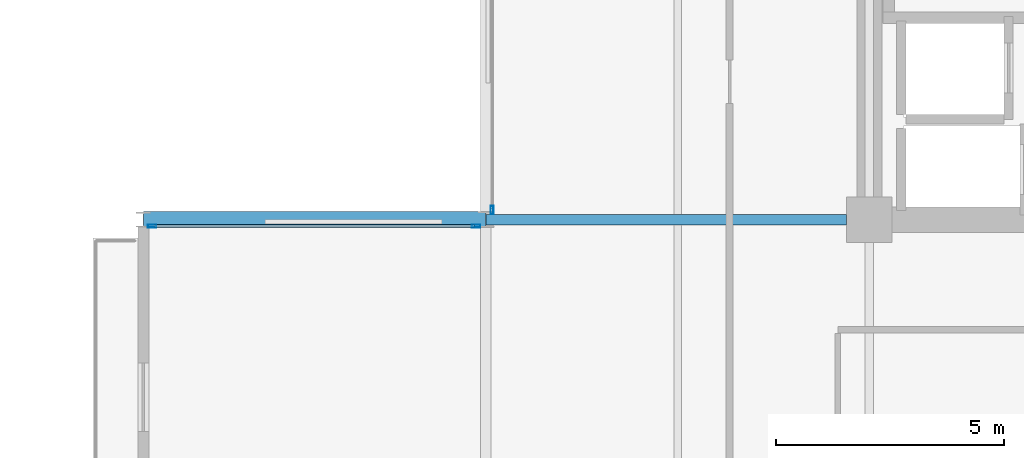
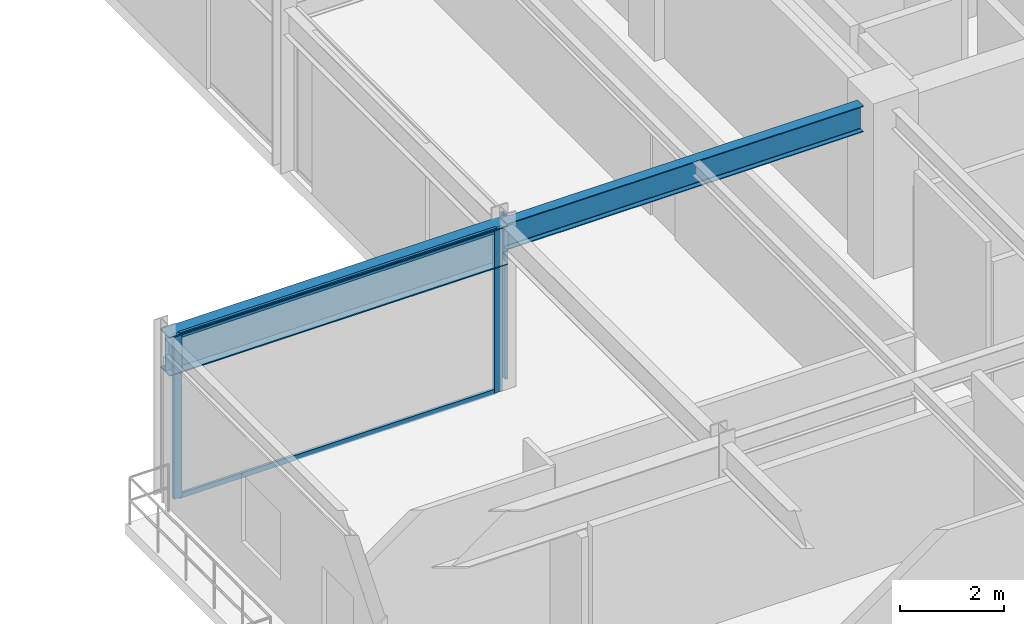
# One storey, part 9 of 29: 5 members, 2 beams, 2 elements without a shape of their own.
"""IFC4 building model written with IfcOpenShell, lengths in metres."""

from ifc_helpers import new_model, si_unit, direction, frame, origin, origin_2d, place, context, subcontext, project, spatial, hollow_rectangle, i_section, extrude, material, layer, layer_set, material_profile, profile_set, type_object, element, aggregate, save


model = new_model("IFC4")

# Units and contexts
model_context = context("Model", 3, precision=1e-05, world=origin(), true_north=direction((0.0, 1.0)))
body_context = subcontext(model_context, "Body", "Model", "MODEL_VIEW")
ifc_project = project(units=[si_unit("LENGTHUNIT", "METRE"), si_unit("AREAUNIT", "SQUARE_METRE"), si_unit("VOLUMEUNIT", "CUBIC_METRE"), si_unit("PLANEANGLEUNIT", "RADIAN"), si_unit("MASSUNIT", "GRAM", prefix="KILO")], contexts=[model_context])

# Site, building, storey
site_placement = place(None, origin())
site = spatial("IfcSite", under=ifc_project, at=site_placement, CompositionType="ELEMENT")
building_placement = place(site_placement, origin())
building = spatial("IfcBuilding", under=site, at=building_placement, Name="Nerrivon Quay Data Exchange", CompositionType="ELEMENT")
storey_placement = place(building_placement, frame((0.0, 0.0, 200.10009765625)))
storey = spatial("IfcBuildingStorey", under=building, at=storey_placement, Name="L47", CompositionType="ELEMENT", Elevation=200.10009765625)

# Beams
ifc_material_1 = material(Name="Steel Grade 350", Category="steel")
ifc_material_profile_1 = material_profile(ifc_material_1, i_section(OverallWidth=0.35009765625, OverallDepth=0.909912109375, WebThickness=0.011962890625, FlangeThickness=0.02490234375, at=origin_2d()), Name="900WB218")
ifc_profile_set_1 = profile_set([ifc_material_profile_1], Name="Steel Grade 350")
beam_type_1 = type_object("IfcBeamType", Name="BM-CANT-900WB", PredefinedType="USERDEFINED", material=ifc_profile_set_1)
beam_1_placement = place(storey_placement, frame((-0.010009765625, 25.199951171875, 3.369873046875), z_axis=(-1.0, 0.0, 0.0), x_axis=(0.0, -1.0, 0.0)))
element("IfcBeam", 1, at=beam_1_placement, inside=storey, type_object=beam_type_1, Name="L47 West Hooked Cantilever Girder Y=25.2", ObjectType="TRANSFER", PredefinedType="USERDEFINED", context=body_context, shape_type="SweptSolid", body=[
    extrude(i_section(OverallWidth=0.35009765625, OverallDepth=0.909912109375, WebThickness=0.011962890625, FlangeThickness=0.02490234375, at=origin_2d()), origin(), (0.0, 0.0, 1.0), 7.482177734375),
])
ifc_material_profile_2 = material_profile(ifc_material_1, i_section(OverallWidth=0.22900390625, OverallDepth=0.612060546875, WebThickness=0.011962890625, FlangeThickness=0.01953125, FilletRadius=0.013916015625, at=origin_2d()), Name="610UB125")
ifc_profile_set_2 = profile_set([ifc_material_profile_2], Name="Steel Grade 350")
beam_type_2 = type_object("IfcBeamType", Name="BM-G1-610UB125", PredefinedType="BEAM", material=ifc_profile_set_2)
beam_2_placement = place(storey_placement, frame((0.010009765625, 25.199951171875, 3.518798828125), z_axis=(1.0, 0.0, 0.0), x_axis=(0.0, 1.0, 0.0)))
element("IfcBeam", 2, at=beam_2_placement, inside=storey, type_object=beam_type_2, Name="L47 EW Girder Y=25.2 (0.0..8.4)", PredefinedType="BEAM", context=body_context, shape_type="SweptSolid", body=[
    extrude(i_section(OverallWidth=0.22900390625, OverallDepth=0.612060546875, WebThickness=0.011962890625, FlangeThickness=0.01953125, FilletRadius=0.013916015625, at=origin_2d()), origin(), (0.0, 0.0, 1.0), 7.889892578125),
])

# Curtain wall, members
ifc_material_2 = material(Name="Anodised aluminium 6063-T6", Category="aluminium")
ifc_layer_1 = layer(ifc_material_2, 0.199951171875)
ifc_layer_set_1 = layer_set([ifc_layer_1], Name="Anodised aluminium 6063-T6")
curtain_wall_type_1 = type_object("IfcCurtainWallType", Name="CW-SYS-04", PredefinedType="NOTDEFINED", material=ifc_layer_set_1)
curtain_wall_1_placement = place(storey_placement, origin())
curtain_wall_1 = element("IfcCurtainWall", 3, at=curtain_wall_1_placement, inside=storey, type_object=curtain_wall_type_1, Name="L47 Unitised Curtain Wall 3", PredefinedType="NOTDEFINED")
ifc_material_profile_3 = material_profile(ifc_material_2, hollow_rectangle(XDim=0.06494140625, YDim=0.179931640625, WallThickness=0.00341796875, at=origin_2d()), Name="ALU-MULL-180x65")
ifc_profile_set_3 = profile_set([ifc_material_profile_3], Name="Anodised aluminium 6063-T6")
member_type_1 = type_object("IfcMemberType", Name="CWM-180x65", PredefinedType="MULLION", material=ifc_profile_set_3)
member_1_placement = place(storey_placement, frame((-7.306884765625, 25.06005859375, 0.0), z_axis=(0.0, 0.0, 1.0), x_axis=(0.0, 1.0, 0.0)))
member_1 = element("IfcMember", 4, at=member_1_placement, type_object=member_type_1, Name="CW04 mullion 1", PredefinedType="MULLION", context=body_context, shape_type="SweptSolid", body=[
    extrude(hollow_rectangle(XDim=0.06494140625, YDim=0.179931640625, WallThickness=0.00341796875, at=origin_2d()), origin(), (0.0, 0.0, 1.0), 3.824951171875),
])
member_2_placement = place(storey_placement, frame((-0.21240234375, 25.06005859375, 0.0), z_axis=(0.0, 0.0, 1.0), x_axis=(0.0, 1.0, 0.0)))
member_2 = element("IfcMember", 5, at=member_2_placement, type_object=member_type_1, Name="CW04 mullion 2", PredefinedType="MULLION", context=body_context, shape_type="SweptSolid", body=[
    extrude(hollow_rectangle(XDim=0.06494140625, YDim=0.179931640625, WallThickness=0.00341796875, at=origin_2d()), origin(), (0.0, 0.0, 1.0), 3.824951171875),
])

# Curtain wall, member
ifc_layer_2 = layer(ifc_material_2, 0.195068359375)
ifc_layer_set_2 = layer_set([ifc_layer_2], Name="Anodised aluminium 6063-T6")
curtain_wall_type_2 = type_object("IfcCurtainWallType", Name="CW-SYS-06", PredefinedType="NOTDEFINED", material=ifc_layer_set_2)
curtain_wall_2_placement = place(storey_placement, origin())
curtain_wall_2 = element("IfcCurtainWall", 6, at=curtain_wall_2_placement, inside=storey, type_object=curtain_wall_type_2, Name="L47 Unitised Curtain Wall 4", PredefinedType="NOTDEFINED")
member_3_placement = place(storey_placement, frame((0.139892578125, 25.41259765625, 0.0), z_axis=(0.0, 0.0, 1.0), x_axis=(-1.0, 0.0, 0.0)))
member_3 = element("IfcMember", 7, at=member_3_placement, type_object=member_type_1, Name="CW06 mullion 1", PredefinedType="MULLION", context=body_context, shape_type="SweptSolid", body=[
    extrude(hollow_rectangle(XDim=0.06494140625, YDim=0.179931640625, WallThickness=0.00341796875, at=origin_2d()), origin(), (0.0, 0.0, 1.0), 3.824951171875),
])
aggregate(curtain_wall_2, [member_3])

# Member
ifc_material_profile_4 = material_profile(ifc_material_2, hollow_rectangle(XDim=0.06005859375, YDim=0.1201171875, WallThickness=0.003173828125, at=origin_2d()), Name="ALU-TRAN-120x60")
ifc_profile_set_4 = profile_set([ifc_material_profile_4], Name="Anodised aluminium 6063-T6")
member_type_2 = type_object("IfcMemberType", Name="CWT-120x60", PredefinedType="USERDEFINED", material=ifc_profile_set_4)
member_4_placement = place(storey_placement, frame((-7.26953125, 25.06005859375, 0.032470703125), z_axis=(1.0, 0.0, 0.0), x_axis=(0.0, 1.0, 0.0)))
member_4 = element("IfcMember", 8, at=member_4_placement, type_object=member_type_2, Name="CW04 transom 1.1", ObjectType="TRANSOM", PredefinedType="USERDEFINED", context=body_context, shape_type="SweptSolid", body=[
    extrude(hollow_rectangle(XDim=0.06005859375, YDim=0.1201171875, WallThickness=0.003173828125, at=origin_2d()), origin(), (0.0, 0.0, 1.0), 7.01953125),
])

member_5_placement = place(storey_placement, frame((-7.26953125, 25.06005859375, 3.79248046875), z_axis=(1.0, 0.0, 0.0), x_axis=(0.0, 1.0, 0.0)))
member_5 = element("IfcMember", 9, at=member_5_placement, type_object=member_type_2, Name="CW04 transom 1.2", ObjectType="TRANSOM", PredefinedType="USERDEFINED", context=body_context, shape_type="SweptSolid", body=[
    extrude(hollow_rectangle(XDim=0.06005859375, YDim=0.1201171875, WallThickness=0.003173828125, at=origin_2d()), origin(), (0.0, 0.0, 1.0), 7.01953125),
])

aggregate(curtain_wall_1, [member_1, member_2, member_4, member_5])

save(model, "model.ifc")
